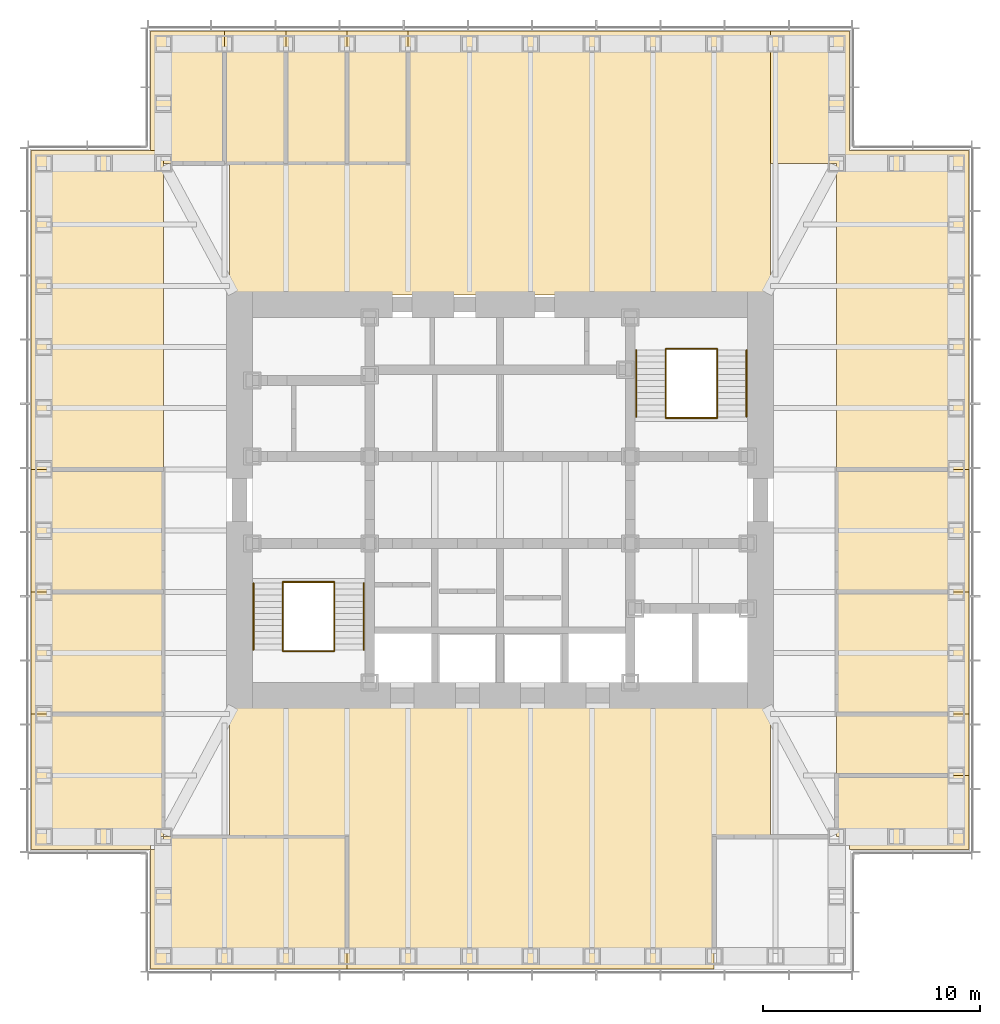
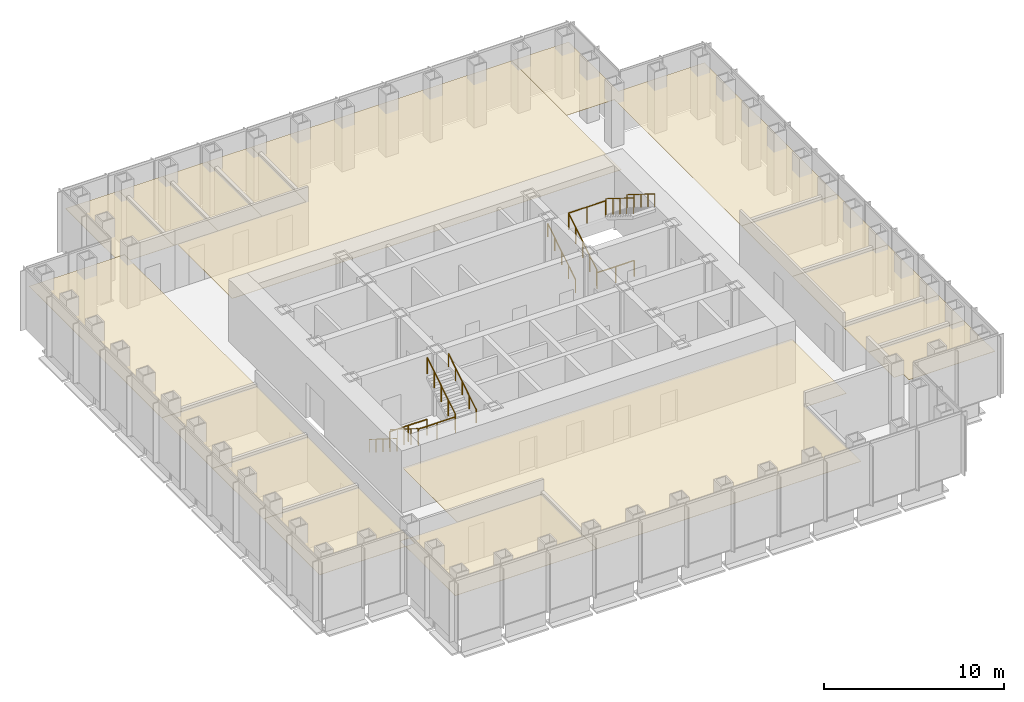
# One storey, part 16 of 16: 16 coverings, 12 railings.
"""IFC4 building model written with IfcOpenShell, lengths in metres."""

from ifc_helpers import new_model, si_unit, direction, frame, origin, origin_2d, place, context, subcontext, project, spatial, polyline, circle, outline, extrude, material, layer, layer_set, type_object, element, save


model = new_model("IFC4")

# Units and contexts
model_context = context("Model", 3, precision=1e-05, world=origin(), true_north=direction((0.0, 1.0)))
body_context = subcontext(model_context, "Body", "Model", "MODEL_VIEW")
ifc_project = project(units=[si_unit("LENGTHUNIT", "METRE"), si_unit("AREAUNIT", "SQUARE_METRE"), si_unit("VOLUMEUNIT", "CUBIC_METRE"), si_unit("PLANEANGLEUNIT", "RADIAN"), si_unit("MASSUNIT", "GRAM", prefix="KILO")], contexts=[model_context])

# Site, building, storey
site_placement = place(None, origin())
site = spatial("IfcSite", under=ifc_project, at=site_placement, CompositionType="ELEMENT")
building_placement = place(site_placement, origin())
building = spatial("IfcBuilding", under=site, at=building_placement, Name="Daluyong Arena Tower", CompositionType="ELEMENT")
storey_placement = place(building_placement, frame((0.0, 0.0, 240.10009765625)))
storey = spatial("IfcBuildingStorey", under=building, at=storey_placement, Name="L54", CompositionType="ELEMENT", Elevation=240.10009765625)

# Coverings
ifc_material_1 = material(Name="Mineral fibre ceiling tile", Category="gypsum board")
ifc_layer = layer(ifc_material_1, 0.02001953125)
ifc_layer_set = layer_set([ifc_layer], Name="Mineral fibre ceiling tile")
covering_type = type_object("IfcCoveringType", Name="Office ceiling", PredefinedType="CEILING", material=ifc_layer_set)
covering_1_placement = place(storey_placement, frame((0.0, 0.0, 2.89990234375)))
element("IfcCovering", 1, at=covering_1_placement, inside=storey, type_object=covering_type, Name="ceiling L54-01", PredefinedType="CEILING", context=body_context, shape_type="SweptSolid", body=[
    extrude(outline(polyline([(39.89990234375, 63.89990234375), (39.89990234375, 58.39990234375), (48.95458984375, 58.39990234375), (48.95458984375, 64.5), (40.5, 64.5), (40.5, 63.89990234375), (39.89990234375, 63.89990234375)])), origin(), (0.0, 0.0, 1.0), 0.02001953125),
])
covering_2_placement = place(storey_placement, frame((0.0, 0.0, 2.89990234375)))
element("IfcCovering", 2, at=covering_2_placement, inside=storey, type_object=covering_type, Name="ceiling L54-03", PredefinedType="CEILING", context=body_context, shape_type="SweptSolid", body=[
    extrude(outline(polyline([(72.10009765625, 63.89990234375), (77.60009765625, 63.89990234375), (77.60009765625, 67.318115234375), (71.5, 67.318115234375), (71.5, 64.5), (72.10009765625, 64.5), (72.10009765625, 63.89990234375)])), origin(), (0.0, 0.0, 1.0), 0.02001953125),
])
covering_3_placement = place(storey_placement, frame((0.0, 0.0, 2.89990234375)))
element("IfcCovering", 3, at=covering_3_placement, inside=storey, type_object=covering_type, Name="ceiling L54-04", PredefinedType="CEILING", context=body_context, shape_type="SweptSolid", body=[
    extrude(outline(polyline([(71.5, 70.136474609375), (77.60009765625, 70.136474609375), (77.60009765625, 75.772705078125), (71.5, 75.772705078125), (71.5, 70.136474609375)])), origin(), (0.0, 0.0, 1.0), 0.02001953125),
])
covering_4_placement = place(storey_placement, frame((0.0, 0.0, 2.89990234375)))
element("IfcCovering", 4, at=covering_4_placement, inside=storey, type_object=covering_type, Name="ceiling L54-05", PredefinedType="CEILING", context=body_context, shape_type="SweptSolid", body=[
    extrude(outline(polyline([(71.5, 75.772705078125), (77.60009765625, 75.772705078125), (77.60009765625, 81.4091796875), (71.5, 81.4091796875), (71.5, 75.772705078125)])), origin(), (0.0, 0.0, 1.0), 0.02001953125),
])
covering_5_placement = place(storey_placement, frame((0.0, 0.0, 2.89990234375)))
element("IfcCovering", 5, at=covering_5_placement, inside=storey, type_object=covering_type, Name="ceiling L54-06", PredefinedType="CEILING", context=body_context, shape_type="SweptSolid", body=[
    extrude(outline(polyline([(43.318115234375, 95.5), (43.318115234375, 101.60009765625), (39.89990234375, 101.60009765625), (39.89990234375, 96.10009765625), (40.5, 96.10009765625), (40.5, 95.5), (43.318115234375, 95.5)])), origin(), (0.0, 0.0, 1.0), 0.02001953125),
])
covering_6_placement = place(storey_placement, frame((0.0, 0.0, 2.89990234375)))
element("IfcCovering", 6, at=covering_6_placement, inside=storey, type_object=covering_type, Name="ceiling L54-07", PredefinedType="CEILING", context=body_context, shape_type="SweptSolid", body=[
    extrude(outline(polyline([(46.136474609375, 95.5), (46.136474609375, 101.60009765625), (43.318115234375, 101.60009765625), (43.318115234375, 95.5), (46.136474609375, 95.5)])), origin(), (0.0, 0.0, 1.0), 0.02001953125),
])
covering_7_placement = place(storey_placement, frame((0.0, 0.0, 2.89990234375)))
element("IfcCovering", 7, at=covering_7_placement, inside=storey, type_object=covering_type, Name="ceiling L54-08", PredefinedType="CEILING", context=body_context, shape_type="SweptSolid", body=[
    extrude(outline(polyline([(48.95458984375, 95.5), (48.95458984375, 101.60009765625), (46.136474609375, 101.60009765625), (46.136474609375, 95.5), (48.95458984375, 95.5)])), origin(), (0.0, 0.0, 1.0), 0.02001953125),
])
covering_8_placement = place(storey_placement, frame((0.0, 0.0, 2.89990234375)))
element("IfcCovering", 8, at=covering_8_placement, inside=storey, type_object=covering_type, Name="ceiling L54-09", PredefinedType="CEILING", context=body_context, shape_type="SweptSolid", body=[
    extrude(outline(polyline([(51.772705078125, 95.5), (51.772705078125, 101.60009765625), (48.95458984375, 101.60009765625), (48.95458984375, 95.5), (51.772705078125, 95.5)])), origin(), (0.0, 0.0, 1.0), 0.02001953125),
])
covering_9_placement = place(storey_placement, frame((0.0, 0.0, 2.89990234375)))
element("IfcCovering", 9, at=covering_9_placement, inside=storey, type_object=covering_type, Name="ceiling L54-10", PredefinedType="CEILING", context=body_context, shape_type="SweptSolid", body=[
    extrude(outline(polyline([(34.39990234375, 63.89990234375), (39.89990234375, 63.89990234375), (39.89990234375, 64.5), (40.5, 64.5), (40.5, 70.136474609375), (34.39990234375, 70.136474609375), (34.39990234375, 63.89990234375)])), origin(), (0.0, 0.0, 1.0), 0.02001953125),
])
covering_10_placement = place(storey_placement, frame((0.0, 0.0, 2.89990234375)))
element("IfcCovering", 10, at=covering_10_placement, inside=storey, type_object=covering_type, Name="ceiling L54-11", PredefinedType="CEILING", context=body_context, shape_type="SweptSolid", body=[
    extrude(outline(polyline([(40.5, 75.772705078125), (34.39990234375, 75.772705078125), (34.39990234375, 70.136474609375), (40.5, 70.136474609375), (40.5, 75.772705078125)])), origin(), (0.0, 0.0, 1.0), 0.02001953125),
])
covering_11_placement = place(storey_placement, frame((0.0, 0.0, 2.89990234375)))
element("IfcCovering", 11, at=covering_11_placement, inside=storey, type_object=covering_type, Name="ceiling L54-12", PredefinedType="CEILING", context=body_context, shape_type="SweptSolid", body=[
    extrude(outline(polyline([(40.5, 81.4091796875), (34.39990234375, 81.4091796875), (34.39990234375, 75.772705078125), (40.5, 75.772705078125), (40.5, 81.4091796875)])), origin(), (0.0, 0.0, 1.0), 0.02001953125),
])
covering_12_placement = place(storey_placement, frame((0.0, 0.0, 2.89990234375)))
element("IfcCovering", 12, at=covering_12_placement, inside=storey, type_object=covering_type, Name="ceiling L54-15", PredefinedType="CEILING", context=body_context, shape_type="SweptSolid", body=[
    extrude(outline(polyline([(65.863525390625, 58.39990234375), (65.863525390625, 64.5), (68.449951171875, 64.5), (68.449951171875, 70.550048828125), (43.550048828125, 70.550048828125), (43.550048828125, 64.5), (48.95458984375, 64.5), (48.95458984375, 58.39990234375), (65.863525390625, 58.39990234375)])), origin(), (0.0, 0.0, 1.0), 0.02001953125),
])
covering_13_placement = place(storey_placement, frame((0.0, 0.0, 2.89990234375)))
element("IfcCovering", 13, at=covering_13_placement, inside=storey, type_object=covering_type, Name="ceiling L54-16", PredefinedType="CEILING", context=body_context, shape_type="SweptSolid", body=[
    extrude(outline(polyline([(72.10009765625, 101.60009765625), (68.449951171875, 101.60009765625), (68.449951171875, 95.5), (71.5, 95.5), (71.5, 81.4091796875), (77.60009765625, 81.4091796875), (77.60009765625, 96.10009765625), (72.10009765625, 96.10009765625), (72.10009765625, 101.60009765625)])), origin(), (0.0, 0.0, 1.0), 0.02001953125),
])
covering_14_placement = place(storey_placement, frame((0.0, 0.0, 2.89990234375)))
element("IfcCovering", 14, at=covering_14_placement, inside=storey, type_object=covering_type, Name="ceiling L54-17", PredefinedType="CEILING", context=body_context, shape_type="SweptSolid", body=[
    extrude(outline(polyline([(77.60009765625, 67.318115234375), (77.60009765625, 70.136474609375), (71.5, 70.136474609375), (71.5, 67.318115234375), (77.60009765625, 67.318115234375)])), origin(), (0.0, 0.0, 1.0), 0.02001953125),
])
covering_15_placement = place(storey_placement, frame((0.0, 0.0, 2.89990234375)))
element("IfcCovering", 15, at=covering_15_placement, inside=storey, type_object=covering_type, Name="ceiling L54-18", PredefinedType="CEILING", context=body_context, shape_type="SweptSolid", body=[
    extrude(outline(polyline([(51.772705078125, 95.5), (43.550048828125, 95.5), (43.550048828125, 89.449951171875), (68.449951171875, 89.449951171875), (68.449951171875, 101.60009765625), (51.772705078125, 101.60009765625), (51.772705078125, 95.5)])), origin(), (0.0, 0.0, 1.0), 0.02001953125),
])
covering_16_placement = place(storey_placement, frame((0.0, 0.0, 2.89990234375)))
element("IfcCovering", 16, at=covering_16_placement, inside=storey, type_object=covering_type, Name="ceiling L54-19", PredefinedType="CEILING", context=body_context, shape_type="SweptSolid", body=[
    extrude(outline(polyline([(40.5, 96.10009765625), (34.39990234375, 96.10009765625), (34.39990234375, 81.4091796875), (40.5, 81.4091796875), (40.5, 96.10009765625)])), origin(), (0.0, 0.0, 1.0), 0.02001953125),
])

# Railings
ifc_material_2 = material(Name="Stainless steel handrail", Category="steel")
railing_type_1 = type_object("IfcRailingType", Name="Stair handrail", PredefinedType="HANDRAIL", material=ifc_material_2)
railing_1_placement = place(storey_placement, frame((44.64990234375, 76.175048828125, 0.1748046875)))
element("IfcRailing", 17, at=railing_1_placement, inside=storey, type_object=railing_type_1, Name="exit stair A handrail L54", PredefinedType="HANDRAIL", context=body_context, shape_type="SweptSolid", body=[
    extrude(circle(Radius=0.02392578125, at=origin_2d()), frame((0.0, 0.0, 0.8759765625), z_axis=(0.0, -0.847998304005, 0.529998940003), x_axis=(1.0, 0.0, 0.0)), (0.0, 0.0, 1.0), 3.632080078125),
    extrude(circle(Radius=0.02099609375, at=origin_2d()), origin(), (0.0, 0.0, 1.0), 0.851806640625),
    extrude(circle(Radius=0.02099609375, at=origin_2d()), frame((0.0, -0.77001953125, 0.481201171875)), (0.0, 0.0, 1.0), 0.851806640625),
    extrude(circle(Radius=0.02099609375, at=origin_2d()), frame((0.0, -1.5400390625, 0.96240234375)), (0.0, 0.0, 1.0), 0.851806640625),
    extrude(circle(Radius=0.02099609375, at=origin_2d()), frame((0.0, -2.31005859375, 1.44384765625)), (0.0, 0.0, 1.0), 0.851806640625),
    extrude(circle(Radius=0.02099609375, at=origin_2d()), frame((0.0, -3.080078125, 1.925048828125)), (0.0, 0.0, 1.0), 0.851806640625),
])
for number, where, name in (
    (18, (49.72509765625, 73.094970703125, 2.27490234375), "exit stair A handrail L54"),
    (19, (62.27490234375, 83.824951171875, 0.1748046875), "exit stair B handrail L54"),
):
    element("IfcRailing", number, at=place(storey_placement, frame(where)), inside=storey, type_object=railing_type_1, Name=name, PredefinedType="HANDRAIL", context=body_context, shape_type="SweptSolid", body=[
        extrude(circle(Radius=0.02392578125, at=origin_2d()), frame((0.0, 0.0, 0.8759765625), z_axis=(0.0, 0.847998304005, 0.529998940003), x_axis=(-1.0, 0.0, 0.0)), (0.0, 0.0, 1.0), 3.632080078125),
        extrude(circle(Radius=0.02099609375, at=origin_2d()), origin(), (0.0, 0.0, 1.0), 0.851806640625),
        extrude(circle(Radius=0.02099609375, at=origin_2d()), frame((0.0, 0.77001953125, 0.481201171875)), (0.0, 0.0, 1.0), 0.851806640625),
        extrude(circle(Radius=0.02099609375, at=origin_2d()), frame((0.0, 1.5400390625, 0.96240234375)), (0.0, 0.0, 1.0), 0.851806640625),
        extrude(circle(Radius=0.02099609375, at=origin_2d()), frame((0.0, 2.31005859375, 1.44384765625)), (0.0, 0.0, 1.0), 0.851806640625),
        extrude(circle(Radius=0.02099609375, at=origin_2d()), frame((0.0, 3.080078125, 1.925048828125)), (0.0, 0.0, 1.0), 0.851806640625),
    ])
railing_2_placement = place(storey_placement, frame((67.35009765625, 86.905029296875, 2.27490234375)))
element("IfcRailing", 20, at=railing_2_placement, inside=storey, type_object=railing_type_1, Name="exit stair B handrail L54", PredefinedType="HANDRAIL", context=body_context, shape_type="SweptSolid", body=[
    extrude(circle(Radius=0.02392578125, at=origin_2d()), frame((0.0, 0.0, 0.8759765625), z_axis=(0.0, -0.847998304005, 0.529998940003), x_axis=(1.0, 0.0, 0.0)), (0.0, 0.0, 1.0), 3.632080078125),
    extrude(circle(Radius=0.02099609375, at=origin_2d()), origin(), (0.0, 0.0, 1.0), 0.851806640625),
    extrude(circle(Radius=0.02099609375, at=origin_2d()), frame((0.0, -0.77001953125, 0.481201171875)), (0.0, 0.0, 1.0), 0.851806640625),
    extrude(circle(Radius=0.02099609375, at=origin_2d()), frame((0.0, -1.5400390625, 0.96240234375)), (0.0, 0.0, 1.0), 0.851806640625),
    extrude(circle(Radius=0.02099609375, at=origin_2d()), frame((0.0, -2.31005859375, 1.44384765625)), (0.0, 0.0, 1.0), 0.851806640625),
    extrude(circle(Radius=0.02099609375, at=origin_2d()), frame((0.0, -3.080078125, 1.925048828125)), (0.0, 0.0, 1.0), 0.851806640625),
])
ifc_material_3 = material(Name="Steel balustrade", Category="steel")
railing_type_2 = type_object("IfcRailingType", Name="Stair well guard 1100", PredefinedType="GUARDRAIL", material=ifc_material_3)
railing_3_placement = place(storey_placement, frame((46.0, 76.175048828125, 0.1748046875)))
element("IfcRailing", 21, at=railing_3_placement, inside=storey, type_object=railing_type_2, Name="exit stair A well guard L54", PredefinedType="GUARDRAIL", context=body_context, shape_type="SweptSolid", body=[
    extrude(circle(Radius=0.02392578125, at=origin_2d()), frame((0.0, 0.0, 1.076171875), z_axis=(0.0, -0.847998304005, 0.529998940003), x_axis=(1.0, 0.0, 0.0)), (0.0, 0.0, 1.0), 3.632080078125),
    extrude(circle(Radius=0.02099609375, at=origin_2d()), origin(), (0.0, 0.0, 1.0), 1.052001953125),
    extrude(circle(Radius=0.02099609375, at=origin_2d()), frame((0.0, -0.77001953125, 0.481201171875)), (0.0, 0.0, 1.0), 1.052001953125),
    extrude(circle(Radius=0.02099609375, at=origin_2d()), frame((0.0, -1.5400390625, 0.96240234375)), (0.0, 0.0, 1.0), 1.052001953125),
    extrude(circle(Radius=0.02099609375, at=origin_2d()), frame((0.0, -2.31005859375, 1.44384765625)), (0.0, 0.0, 1.0), 1.052001953125),
    extrude(circle(Radius=0.02099609375, at=origin_2d()), frame((0.0, -3.080078125, 1.925048828125)), (0.0, 0.0, 1.0), 1.052001953125),
])
railing_4_placement = place(storey_placement, frame((48.375, 73.094970703125, 2.27490234375)))
element("IfcRailing", 22, at=railing_4_placement, inside=storey, type_object=railing_type_2, Name="exit stair A well guard L54", PredefinedType="GUARDRAIL", context=body_context, shape_type="SweptSolid", body=[
    extrude(circle(Radius=0.02392578125, at=origin_2d()), frame((0.0, 0.0, 1.076171875), z_axis=(0.0, 0.847998304005, 0.529998940003), x_axis=(-1.0, 0.0, 0.0)), (0.0, 0.0, 1.0), 3.632080078125),
    extrude(circle(Radius=0.02099609375, at=origin_2d()), origin(), (0.0, 0.0, 1.0), 1.052001953125),
    extrude(circle(Radius=0.02099609375, at=origin_2d()), frame((0.0, 0.77001953125, 0.481201171875)), (0.0, 0.0, 1.0), 1.052001953125),
    extrude(circle(Radius=0.02099609375, at=origin_2d()), frame((0.0, 1.5400390625, 0.96240234375)), (0.0, 0.0, 1.0), 1.052001953125),
    extrude(circle(Radius=0.02099609375, at=origin_2d()), frame((0.0, 2.31005859375, 1.44384765625)), (0.0, 0.0, 1.0), 1.052001953125),
    extrude(circle(Radius=0.02099609375, at=origin_2d()), frame((0.0, 3.080078125, 1.925048828125)), (0.0, 0.0, 1.0), 1.052001953125),
])
for number, where, name in (
    (23, (46.0, 73.044921875, 2.099853515625), "exit stair A landing guard L54"),
    (24, (46.0, 76.22509765625, 0.0), "exit stair A floor landing guard L54"),
):
    element("IfcRailing", number, at=place(storey_placement, frame(where)), inside=storey, type_object=railing_type_2, Name=name, PredefinedType="GUARDRAIL", context=body_context, shape_type="SweptSolid", body=[
        extrude(circle(Radius=0.02392578125, at=origin_2d()), frame((0.0, 0.0, 1.076171875), z_axis=(1.0, 0.0, 0.0), x_axis=(0.0, 1.0, 0.0)), (0.0, 0.0, 1.0), 2.375),
        extrude(circle(Radius=0.02099609375, at=origin_2d()), origin(), (0.0, 0.0, 1.0), 1.052001953125),
        extrude(circle(Radius=0.02099609375, at=origin_2d()), frame((1.1875, 0.0, 0.0)), (0.0, 0.0, 1.0), 1.052001953125),
        extrude(circle(Radius=0.02099609375, at=origin_2d()), frame((2.375, 0.0, 0.0)), (0.0, 0.0, 1.0), 1.052001953125),
    ])
railing_5_placement = place(storey_placement, frame((63.625, 83.824951171875, 0.1748046875)))
element("IfcRailing", 25, at=railing_5_placement, inside=storey, type_object=railing_type_2, Name="exit stair B well guard L54", PredefinedType="GUARDRAIL", context=body_context, shape_type="SweptSolid", body=[
    extrude(circle(Radius=0.02392578125, at=origin_2d()), frame((0.0, 0.0, 1.076171875), z_axis=(0.0, 0.847998304005, 0.529998940003), x_axis=(-1.0, 0.0, 0.0)), (0.0, 0.0, 1.0), 3.632080078125),
    extrude(circle(Radius=0.02099609375, at=origin_2d()), origin(), (0.0, 0.0, 1.0), 1.052001953125),
    extrude(circle(Radius=0.02099609375, at=origin_2d()), frame((0.0, 0.77001953125, 0.481201171875)), (0.0, 0.0, 1.0), 1.052001953125),
    extrude(circle(Radius=0.02099609375, at=origin_2d()), frame((0.0, 1.5400390625, 0.96240234375)), (0.0, 0.0, 1.0), 1.052001953125),
    extrude(circle(Radius=0.02099609375, at=origin_2d()), frame((0.0, 2.31005859375, 1.44384765625)), (0.0, 0.0, 1.0), 1.052001953125),
    extrude(circle(Radius=0.02099609375, at=origin_2d()), frame((0.0, 3.080078125, 1.925048828125)), (0.0, 0.0, 1.0), 1.052001953125),
])
railing_6_placement = place(storey_placement, frame((66.0, 86.905029296875, 2.27490234375)))
element("IfcRailing", 26, at=railing_6_placement, inside=storey, type_object=railing_type_2, Name="exit stair B well guard L54", PredefinedType="GUARDRAIL", context=body_context, shape_type="SweptSolid", body=[
    extrude(circle(Radius=0.02392578125, at=origin_2d()), frame((0.0, 0.0, 1.076171875), z_axis=(0.0, -0.847998304005, 0.529998940003), x_axis=(1.0, 0.0, 0.0)), (0.0, 0.0, 1.0), 3.632080078125),
    extrude(circle(Radius=0.02099609375, at=origin_2d()), origin(), (0.0, 0.0, 1.0), 1.052001953125),
    extrude(circle(Radius=0.02099609375, at=origin_2d()), frame((0.0, -0.77001953125, 0.481201171875)), (0.0, 0.0, 1.0), 1.052001953125),
    extrude(circle(Radius=0.02099609375, at=origin_2d()), frame((0.0, -1.5400390625, 0.96240234375)), (0.0, 0.0, 1.0), 1.052001953125),
    extrude(circle(Radius=0.02099609375, at=origin_2d()), frame((0.0, -2.31005859375, 1.44384765625)), (0.0, 0.0, 1.0), 1.052001953125),
    extrude(circle(Radius=0.02099609375, at=origin_2d()), frame((0.0, -3.080078125, 1.925048828125)), (0.0, 0.0, 1.0), 1.052001953125),
])
for number, where, name in (
    (27, (63.625, 86.955078125, 2.099853515625), "exit stair B landing guard L54"),
    (28, (63.625, 83.77490234375, 0.0), "exit stair B floor landing guard L54"),
):
    element("IfcRailing", number, at=place(storey_placement, frame(where)), inside=storey, type_object=railing_type_2, Name=name, PredefinedType="GUARDRAIL", context=body_context, shape_type="SweptSolid", body=[
        extrude(circle(Radius=0.02392578125, at=origin_2d()), frame((0.0, 0.0, 1.076171875), z_axis=(1.0, 0.0, 0.0), x_axis=(0.0, 1.0, 0.0)), (0.0, 0.0, 1.0), 2.375),
        extrude(circle(Radius=0.02099609375, at=origin_2d()), origin(), (0.0, 0.0, 1.0), 1.052001953125),
        extrude(circle(Radius=0.02099609375, at=origin_2d()), frame((1.1875, 0.0, 0.0)), (0.0, 0.0, 1.0), 1.052001953125),
        extrude(circle(Radius=0.02099609375, at=origin_2d()), frame((2.375, 0.0, 0.0)), (0.0, 0.0, 1.0), 1.052001953125),
    ])

save(model, "model.ifc")
